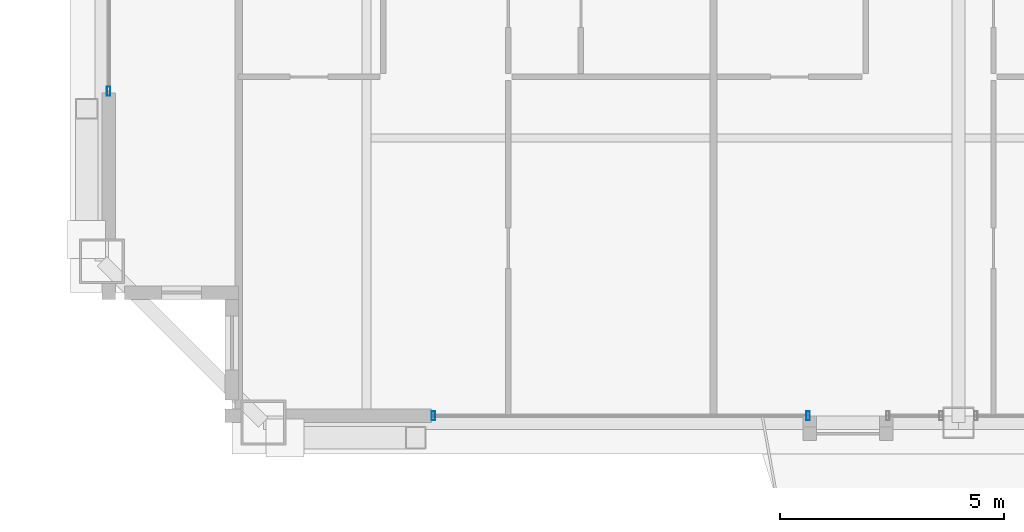
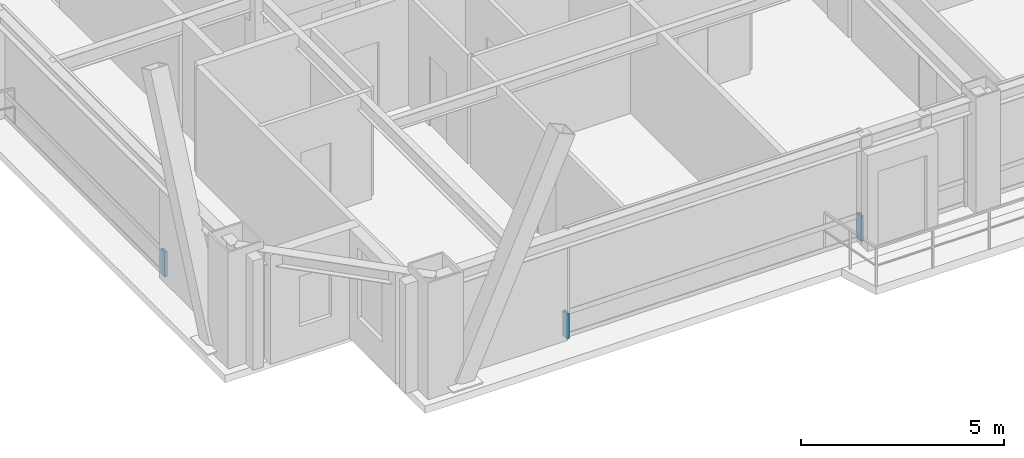
# One storey, part 19 of 33: 3 members, 2 elements without a shape of their own.
"""IFC4 building model written with IfcOpenShell, lengths in metres."""

from ifc_helpers import new_model, si_unit, direction, frame, origin, origin_2d, place, context, subcontext, project, spatial, hollow_rectangle, extrude, source, transform, mapped, material, layer, layer_set, material_profile, profile_set, type_object, element, aggregate, save


model = new_model("IFC4")

# Units and contexts
model_context = context("Model", 3, precision=1e-05, world=origin(), true_north=direction((0.0, 1.0)))
body_context = subcontext(model_context, "Body", "Model", "MODEL_VIEW")
ifc_project = project(units=[si_unit("LENGTHUNIT", "METRE"), si_unit("AREAUNIT", "SQUARE_METRE"), si_unit("VOLUMEUNIT", "CUBIC_METRE"), si_unit("PLANEANGLEUNIT", "RADIAN"), si_unit("MASSUNIT", "GRAM", prefix="KILO"), si_unit("THERMODYNAMICTEMPERATUREUNIT", "KELVIN"), si_unit("POWERUNIT", "WATT")], contexts=[model_context])

# Site, building, storey
site_placement = place(None, origin())
site = spatial("IfcSite", under=ifc_project, at=site_placement, CompositionType="ELEMENT")
building_placement = place(site_placement, origin())
building = spatial("IfcBuilding", under=site, at=building_placement, Name="Yuzanri Waterfront Tower", CompositionType="ELEMENT")
storey_placement = place(building_placement, frame((0.0, 0.0, 292.60009765625)))
storey = spatial("IfcBuildingStorey", under=building, at=storey_placement, Name="L78", CompositionType="ELEMENT", Elevation=292.60009765625)

# Curtain wall, members
ifc_material_1 = material(Name="Anodized Architectural Bronze", Category="metal")
ifc_layer = layer(ifc_material_1, 0.159912109375)
ifc_layer_set = layer_set([ifc_layer], Name="Anodized Architectural Bronze")
curtain_wall_type = type_object("IfcCurtainWallType", Name="Anodized Bronze High-Rise Penthouse High-Wind Unitized Curtain Wall 6900", PredefinedType="NOTDEFINED", material=ifc_layer_set)
curtain_wall_1_placement = place(storey_placement, origin())
curtain_wall_1 = element("IfcCurtainWall", 1, at=curtain_wall_1_placement, inside=storey, type_object=curtain_wall_type, Name="L78 Curtain Wall CW-L78-SL1", PredefinedType="NOTDEFINED")
ifc_material_2 = material(Name="Anodized Architectural Bronze", Category="metal")
ifc_material_profile = material_profile(ifc_material_2, hollow_rectangle(XDim=0.074951171875, YDim=0.199951171875, WallThickness=0.00390625, at=origin_2d()), Name="CWM 75x200")
ifc_profile_set = profile_set([ifc_material_profile], Name="Anodized Architectural Bronze")
member_type = type_object("IfcMemberType", Name="Anodized Bronze Primary Curtain-Wall Mullion 75x200", PredefinedType="MULLION", material=ifc_profile_set)
shared_shape = source(origin(), body_context, "Body", "SweptSolid", [
    extrude(hollow_rectangle(XDim=0.074951171875, YDim=0.199951171875, WallThickness=0.00390625, at=origin_2d()), origin(), (0.0, 0.0, 1.0), 0.751953125),
])
member_1_placement = place(storey_placement, frame((25.2900390625, 6.85009765625, 0.0), z_axis=(0.0, 0.0, 1.0), x_axis=(1.0, 0.0, 0.0)))
member_1 = element("IfcMember", 2, at=member_1_placement, type_object=member_type, Name="CW-L78-SL1 Lower Mullion 00", PredefinedType="MULLION", context=body_context, shape_type="MappedRepresentation", body=[
    mapped(shared_shape, transform((0.0, 0.0, 0.0), scale=1.0)),
])
member_2_placement = place(storey_placement, frame((33.64697265625, 6.85009765625, 0.0), z_axis=(0.0, 0.0, 1.0), x_axis=(1.0, 0.0, 0.0)))
member_2 = element("IfcMember", 3, at=member_2_placement, type_object=member_type, Name="CW-L78-SL1 Lower Mullion 01", PredefinedType="MULLION", context=body_context, shape_type="MappedRepresentation", body=[
    mapped(shared_shape, transform((0.0, 0.0, 0.0), scale=1.0)),
])
aggregate(curtain_wall_1, [member_1, member_2])

# Curtain wall, member
curtain_wall_2_placement = place(storey_placement, origin())
curtain_wall_2 = element("IfcCurtainWall", 4, at=curtain_wall_2_placement, inside=storey, type_object=curtain_wall_type, Name="L78 Curtain Wall CW-L78-WL1", PredefinedType="NOTDEFINED")
member_3_placement = place(storey_placement, frame((18.050048828125, 14.090087890625, 0.0), z_axis=(0.0, 0.0, 1.0), x_axis=(1.0, 0.0, 0.0)))
member_3 = element("IfcMember", 5, at=member_3_placement, type_object=member_type, Name="CW-L78-WL1 Lower Mullion 00", PredefinedType="MULLION", context=body_context, shape_type="MappedRepresentation", body=[
    mapped(shared_shape, transform((0.0, 0.0, 0.0), scale=1.0)),
])
aggregate(curtain_wall_2, [member_3])

save(model, "model.ifc")
